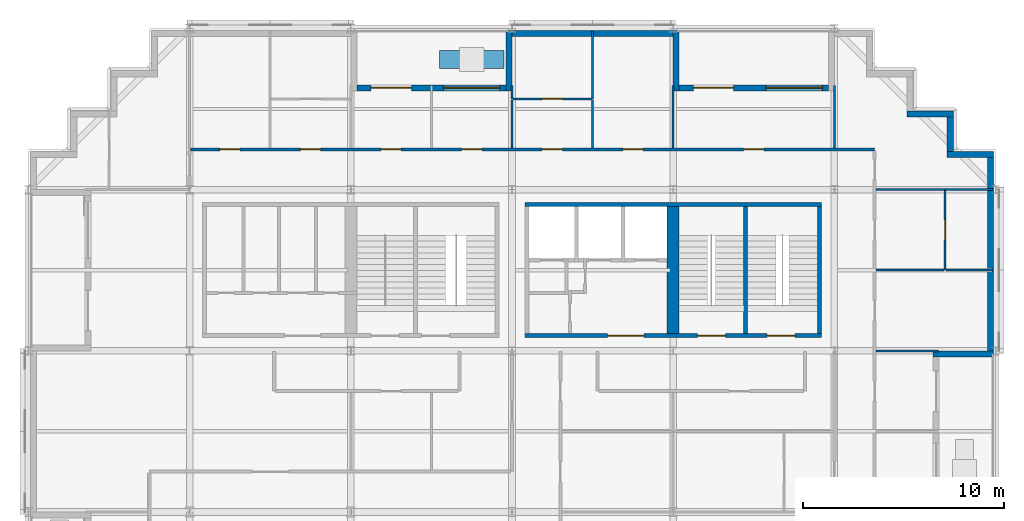
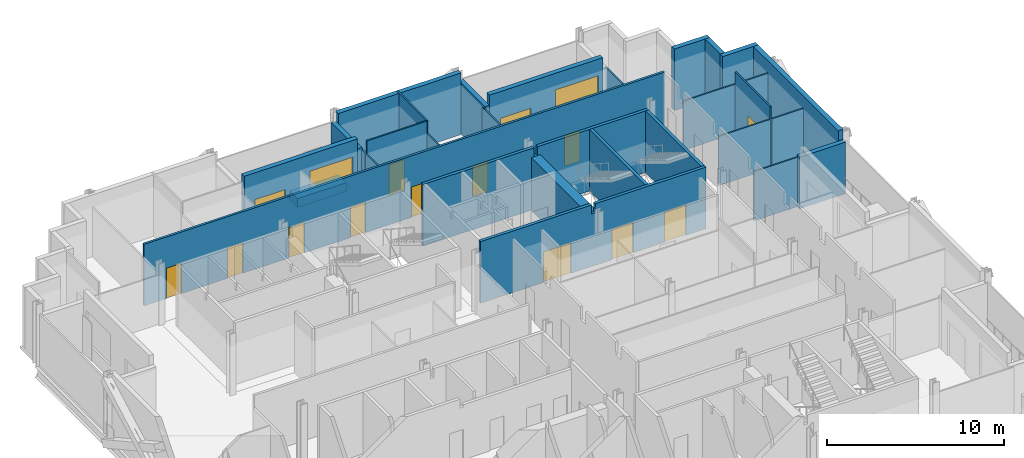
# One storey, part 10 of 15: 30 walls, 14 doors, 2 windows, 16 openings.
"""IFC4 building model written with IfcOpenShell, lengths in metres."""

from ifc_helpers import new_model, si_unit, direction, frame, frame_2d, origin, place, context, subcontext, project, spatial, polyline, rectangle, outline, extrude, material, layer, layer_set, type_object, element, fill, save


model = new_model("IFC4")

# Units and contexts
model_context = context("Model", 3, precision=1e-05, world=origin(), true_north=direction((0.0, 1.0)))
body_context = subcontext(model_context, "Body", "Model", "MODEL_VIEW")
ifc_project = project(units=[si_unit("LENGTHUNIT", "METRE"), si_unit("AREAUNIT", "SQUARE_METRE"), si_unit("VOLUMEUNIT", "CUBIC_METRE"), si_unit("PLANEANGLEUNIT", "RADIAN"), si_unit("MASSUNIT", "GRAM", prefix="KILO")], contexts=[model_context])

# Site, building, storey
site_placement = place(None, origin())
site = spatial("IfcSite", under=ifc_project, at=site_placement, CompositionType="ELEMENT")
building_placement = place(site_placement, origin())
building = spatial("IfcBuilding", under=site, at=building_placement, Name="Immortelle Media Tower", CompositionType="ELEMENT")
storey_placement = place(building_placement, frame((0.0, 0.0, 61.199951171875)))
storey = spatial("IfcBuildingStorey", under=building, at=storey_placement, Name="L10", CompositionType="ELEMENT", Elevation=61.199951171875)

# Wall, openings, doors
ifc_material_1 = material(Name="Fire-rated gypsum board", Category="gypsum")
ifc_layer_1 = layer(ifc_material_1, 0.012451171875)
ifc_material_2 = material(Name="Steel ASTM A653 SS Gr 50 stud frame with mineral wool", Category="steel")
ifc_layer_2 = layer(ifc_material_2, 0.125)
ifc_layer_3 = layer(ifc_material_1, 0.012451171875)
ifc_layer_set_1 = layer_set([ifc_layer_1, ifc_layer_2, ifc_layer_3], Name="Steel ASTM A653 SS Gr 50 stud frame with mineral wool")
wall_type_1 = type_object("IfcWallType", Name="Corridor wall 150", PredefinedType="PARTITIONING", material=ifc_layer_set_1)
wall_1_placement = place(storey_placement, frame((8.050048828125, 42.0, 0.0), z_axis=(0.0, 0.0, 1.0), x_axis=(1.0, 0.0, 0.0)))
wall_1 = element("IfcWall", 1, at=wall_1_placement, inside=storey, type_object=wall_type_1, Name="Partition L10-055", PredefinedType="PARTITIONING", context=body_context, shape_type="SweptSolid", body=[
    extrude(rectangle(XDim=33.949951171875, YDim=0.14990234375, at=frame_2d((16.97509765625, 0.0))), origin(), (0.0, 0.0, 1.0), 4.25),
])
opening_1_placement = place(wall_1_placement, frame((9.449951171875, 0.0, 0.0)))
opening_1 = element("IfcOpeningElement", 2, at=opening_1_placement, cuts=wall_1, Name="Opening N3-F032", PredefinedType="OPENING", context=body_context, shape_type="SweptSolid", body=[
    extrude(rectangle(XDim=1.0, YDim=2.10009765625, at=frame_2d((0.5, 1.050048828125))), frame((0.0, 0.0849609375, 0.0), z_axis=(0.0, -1.0, 0.0), x_axis=(1.0, 0.0, 0.0)), (0.0, 0.0, 1.0), 0.169921875),
])
opening_2_placement = place(wall_1_placement, frame((13.449951171875, 0.0, 0.0)))
opening_2 = element("IfcOpeningElement", 3, at=opening_2_placement, cuts=wall_1, Name="Opening N3-F033", PredefinedType="OPENING", context=body_context, shape_type="SweptSolid", body=[
    extrude(rectangle(XDim=1.0, YDim=2.10009765625, at=frame_2d((0.5, 1.050048828125))), frame((0.0, 0.0849609375, 0.0), z_axis=(0.0, -1.0, 0.0), x_axis=(1.0, 0.0, 0.0)), (0.0, 0.0, 1.0), 0.169921875),
])
opening_3_placement = place(wall_1_placement, frame((27.449951171875, 0.0, 0.0)))
opening_3 = element("IfcOpeningElement", 4, at=opening_3_placement, cuts=wall_1, Name="Opening N3-F034", PredefinedType="OPENING", context=body_context, shape_type="SweptSolid", body=[
    extrude(rectangle(XDim=1.0, YDim=2.10009765625, at=frame_2d((0.5, 1.050048828125))), frame((0.0, 0.0849609375, 0.0), z_axis=(0.0, -1.0, 0.0), x_axis=(1.0, 0.0, 0.0)), (0.0, 0.0, 1.0), 0.169921875),
])
opening_4_placement = place(wall_1_placement, frame((1.449951171875, 0.0, 0.0)))
opening_4 = element("IfcOpeningElement", 5, at=opening_4_placement, cuts=wall_1, Name="Opening N3-F035", PredefinedType="OPENING", context=body_context, shape_type="SweptSolid", body=[
    extrude(rectangle(XDim=1.0, YDim=2.10009765625, at=frame_2d((0.5, 1.050048828125))), frame((0.0, 0.0849609375, 0.0), z_axis=(0.0, -1.0, 0.0), x_axis=(1.0, 0.0, 0.0)), (0.0, 0.0, 1.0), 0.169921875),
])
opening_5_placement = place(wall_1_placement, frame((5.449951171875, 0.0, 0.0)))
opening_5 = element("IfcOpeningElement", 6, at=opening_5_placement, cuts=wall_1, Name="Opening N3-F036", PredefinedType="OPENING", context=body_context, shape_type="SweptSolid", body=[
    extrude(rectangle(XDim=1.0, YDim=2.10009765625, at=frame_2d((0.5, 1.050048828125))), frame((0.0, 0.0849609375, 0.0), z_axis=(0.0, -1.0, 0.0), x_axis=(1.0, 0.0, 0.0)), (0.0, 0.0, 1.0), 0.169921875),
])
opening_6_placement = place(wall_1_placement, frame((17.449951171875, 0.0, 0.0)))
opening_6 = element("IfcOpeningElement", 7, at=opening_6_placement, cuts=wall_1, Name="Opening N3-F038", PredefinedType="OPENING", context=body_context, shape_type="SweptSolid", body=[
    extrude(rectangle(XDim=1.0, YDim=2.10009765625, at=frame_2d((0.5, 1.050048828125))), frame((0.0, 0.0849609375, 0.0), z_axis=(0.0, -1.0, 0.0), x_axis=(1.0, 0.0, 0.0)), (0.0, 0.0, 1.0), 0.169921875),
])
opening_7_placement = place(wall_1_placement, frame((21.449951171875, 0.0, 0.0)))
opening_7 = element("IfcOpeningElement", 8, at=opening_7_placement, cuts=wall_1, Name="Opening N3-F040", PredefinedType="OPENING", context=body_context, shape_type="SweptSolid", body=[
    extrude(rectangle(XDim=1.0, YDim=2.10009765625, at=frame_2d((0.5, 1.050048828125))), frame((0.0, 0.0849609375, 0.0), z_axis=(0.0, -1.0, 0.0), x_axis=(1.0, 0.0, 0.0)), (0.0, 0.0, 1.0), 0.169921875),
])
ifc_material_3 = material(Name="Timber veneered door leaf, galvanised steel frame ASTM A653", Category="steel")
door_type_1 = type_object("IfcDoorType", Name="Room door 1000 x 2100", OperationType="NOTDEFINED", PredefinedType="DOOR", material=ifc_material_3)
door_1_placement = place(opening_1_placement, origin())
door_1 = element("IfcDoor", 9, at=door_1_placement, inside=storey, type_object=door_type_1, Name="Door N3-F032", OperationType="SINGLE_SWING_LEFT", OverallHeight=2.10009765625, OverallWidth=1.0, PredefinedType="DOOR", context=body_context, shape_type="SweptSolid", body=[
    extrude(rectangle(XDim=1.0, YDim=2.10009765625, at=frame_2d((0.5, 1.050048828125))), frame((0.0, 0.02490234375, 0.0), z_axis=(0.0, -1.0, 0.0), x_axis=(1.0, 0.0, 0.0)), (0.0, 0.0, 1.0), 0.050048828125),
])
fill(opening_1, door_1)
door_2_placement = place(opening_2_placement, origin())
door_2 = element("IfcDoor", 10, at=door_2_placement, inside=storey, type_object=door_type_1, Name="Door N3-F033", OperationType="SINGLE_SWING_LEFT", OverallHeight=2.10009765625, OverallWidth=1.0, PredefinedType="DOOR", context=body_context, shape_type="SweptSolid", body=[
    extrude(rectangle(XDim=1.0, YDim=2.10009765625, at=frame_2d((0.5, 1.050048828125))), frame((0.0, 0.02490234375, 0.0), z_axis=(0.0, -1.0, 0.0), x_axis=(1.0, 0.0, 0.0)), (0.0, 0.0, 1.0), 0.050048828125),
])
fill(opening_2, door_2)
door_3_placement = place(opening_3_placement, origin())
door_3 = element("IfcDoor", 11, at=door_3_placement, inside=storey, type_object=door_type_1, Name="Door N3-F034", OperationType="SINGLE_SWING_RIGHT", OverallHeight=2.10009765625, OverallWidth=1.0, PredefinedType="DOOR", context=body_context, shape_type="SweptSolid", body=[
    extrude(rectangle(XDim=1.0, YDim=2.10009765625, at=frame_2d((0.5, 1.050048828125))), frame((0.0, 0.02490234375, 0.0), z_axis=(0.0, -1.0, 0.0), x_axis=(1.0, 0.0, 0.0)), (0.0, 0.0, 1.0), 0.050048828125),
])
fill(opening_3, door_3)
door_4_placement = place(opening_4_placement, origin())
door_4 = element("IfcDoor", 12, at=door_4_placement, inside=storey, type_object=door_type_1, Name="Door N3-F035", OperationType="SINGLE_SWING_LEFT", OverallHeight=2.10009765625, OverallWidth=1.0, PredefinedType="DOOR", context=body_context, shape_type="SweptSolid", body=[
    extrude(rectangle(XDim=1.0, YDim=2.10009765625, at=frame_2d((0.5, 1.050048828125))), frame((0.0, 0.02490234375, 0.0), z_axis=(0.0, -1.0, 0.0), x_axis=(1.0, 0.0, 0.0)), (0.0, 0.0, 1.0), 0.050048828125),
])
fill(opening_4, door_4)
door_5_placement = place(opening_5_placement, origin())
door_5 = element("IfcDoor", 13, at=door_5_placement, inside=storey, type_object=door_type_1, Name="Door N3-F036", OperationType="SINGLE_SWING_LEFT", OverallHeight=2.10009765625, OverallWidth=1.0, PredefinedType="DOOR", context=body_context, shape_type="SweptSolid", body=[
    extrude(rectangle(XDim=1.0, YDim=2.10009765625, at=frame_2d((0.5, 1.050048828125))), frame((0.0, 0.02490234375, 0.0), z_axis=(0.0, -1.0, 0.0), x_axis=(1.0, 0.0, 0.0)), (0.0, 0.0, 1.0), 0.050048828125),
])
fill(opening_5, door_5)
door_6_placement = place(opening_6_placement, origin())
door_6 = element("IfcDoor", 14, at=door_6_placement, inside=storey, type_object=door_type_1, Name="Door N3-F038", OperationType="SINGLE_SWING_LEFT", OverallHeight=2.10009765625, OverallWidth=1.0, PredefinedType="DOOR", context=body_context, shape_type="SweptSolid", body=[
    extrude(rectangle(XDim=1.0, YDim=2.10009765625, at=frame_2d((0.5, 1.050048828125))), frame((0.0, 0.02490234375, 0.0), z_axis=(0.0, -1.0, 0.0), x_axis=(1.0, 0.0, 0.0)), (0.0, 0.0, 1.0), 0.050048828125),
])
fill(opening_6, door_6)
door_7_placement = place(opening_7_placement, origin())
door_7 = element("IfcDoor", 15, at=door_7_placement, inside=storey, type_object=door_type_1, Name="Door N3-F040", OperationType="SINGLE_SWING_LEFT", OverallHeight=2.10009765625, OverallWidth=1.0, PredefinedType="DOOR", context=body_context, shape_type="SweptSolid", body=[
    extrude(rectangle(XDim=1.0, YDim=2.10009765625, at=frame_2d((0.5, 1.050048828125))), frame((0.0, 0.02490234375, 0.0), z_axis=(0.0, -1.0, 0.0), x_axis=(1.0, 0.0, 0.0)), (0.0, 0.0, 1.0), 0.050048828125),
])
fill(opening_7, door_7)

# Walls
ifc_material_4 = material(Name="Pale aluminium cladding panel", Category="aluminium")
ifc_layer_4 = layer(ifc_material_4, 0.030029296875)
ifc_layer_5 = layer(ifc_material_2, 0.257568359375)
ifc_material_5 = material(Name="Moisture-resistant gypsum board", Category="gypsum")
ifc_layer_6 = layer(ifc_material_5, 0.012451171875)
ifc_layer_set_2 = layer_set([ifc_layer_4, ifc_layer_5, ifc_layer_6], Name="Steel ASTM A653 SS Gr 50 stud frame with mineral wool")
wall_type_2 = type_object("IfcWallType", Name="Facade wall 300", PredefinedType="SOLIDWALL", material=ifc_layer_set_2)
wall_2_placement = place(storey_placement, frame((47.89990234375, 31.85009765625, 0.0), z_axis=(0.0, 0.0, 1.0), x_axis=(-1.0, 0.0, 0.0)))
element("IfcWall", 16, at=wall_2_placement, inside=storey, type_object=wall_type_2, Name="Loggia cheek wall L10 E", PredefinedType="SOLIDWALL", context=body_context, shape_type="SweptSolid", body=[
    extrude(rectangle(XDim=3.0, YDim=0.300048828125, at=frame_2d((1.5, 0.0))), origin(), (0.0, 0.0, 1.0), 3.55615234375),
])
wall_3_placement = place(storey_placement, frame((47.75, 32.0, 0.0), z_axis=(0.0, 0.0, 1.0), x_axis=(0.0, 1.0, 0.0)))
element("IfcWall", 17, at=wall_3_placement, inside=storey, type_object=wall_type_2, Name="Facade wall L10 E14", PredefinedType="SOLIDWALL", context=body_context, shape_type="SweptSolid", body=[
    extrude(rectangle(XDim=9.60009765625, YDim=0.300048828125, at=frame_2d((4.800048828125, 0.0))), origin(), (0.0, 0.0, 1.0), 4.25),
])
wall_4_placement = place(storey_placement, frame((47.89990234375, 41.75, 0.0), z_axis=(0.0, 0.0, 1.0), x_axis=(-1.0, 0.0, 0.0)))
element("IfcWall", 18, at=wall_4_placement, inside=storey, type_object=wall_type_2, Name="Facade wall L10 N15", PredefinedType="SOLIDWALL", context=body_context, shape_type="SweptSolid", body=[
    extrude(rectangle(XDim=2.2998046875, YDim=0.300048828125, at=frame_2d((1.14990234375, 0.0))), origin(), (0.0, 0.0, 1.0), 4.25),
])
wall_5_placement = place(storey_placement, frame((45.75, 41.89990234375, 0.0), z_axis=(0.0, 0.0, 1.0), x_axis=(0.0, 1.0, 0.0)))
element("IfcWall", 19, at=wall_5_placement, inside=storey, type_object=wall_type_2, Name="Facade wall L10 E16", PredefinedType="SOLIDWALL", context=body_context, shape_type="SweptSolid", body=[
    extrude(rectangle(XDim=1.7001953125, YDim=0.300048828125, at=frame_2d((0.85009765625, 0.0))), origin(), (0.0, 0.0, 1.0), 4.25),
])
wall_6_placement = place(storey_placement, frame((45.89990234375, 43.75, 0.0), z_axis=(0.0, 0.0, 1.0), x_axis=(-1.0, 0.0, 0.0)))
element("IfcWall", 20, at=wall_6_placement, inside=storey, type_object=wall_type_2, Name="Facade wall L10 N17", PredefinedType="SOLIDWALL", context=body_context, shape_type="SweptSolid", body=[
    extrude(rectangle(XDim=2.2998046875, YDim=0.300048828125, at=frame_2d((1.14990234375, 0.0))), origin(), (0.0, 0.0, 1.0), 4.25),
])

# Wall, openings, door, window
wall_7_placement = place(storey_placement, frame((39.699951171875, 45.050048828125, 0.0), z_axis=(0.0, 0.0, 1.0), x_axis=(-1.0, 0.0, 0.0)))
wall_7 = element("IfcWall", 21, at=wall_7_placement, inside=storey, type_object=wall_type_2, Name="Loggia wall L10 N21", PredefinedType="SOLIDWALL", context=body_context, shape_type="SweptSolid", body=[
    extrude(rectangle(XDim=7.39990234375, YDim=0.300048828125, at=frame_2d((3.699951171875, 0.0))), origin(), (0.0, 0.0, 1.0), 4.25),
])
opening_8_placement = place(wall_7_placement, frame((0.300048828125, 0.0, 0.89990234375)))
opening_8 = element("IfcOpeningElement", 22, at=opening_8_placement, cuts=wall_7, Name="Opening W1", PredefinedType="OPENING", context=body_context, shape_type="SweptSolid", body=[
    extrude(rectangle(XDim=2.800048828125, YDim=2.199951171875, at=frame_2d((1.39990234375, 1.10009765625))), frame((0.0, 0.159912109375, 0.0), z_axis=(0.0, -1.0, 0.0), x_axis=(1.0, 0.0, 0.0)), (0.0, 0.0, 1.0), 0.320068359375),
])
opening_9_placement = place(wall_7_placement, frame((4.699951171875, 0.0, 0.0)))
opening_9 = element("IfcOpeningElement", 23, at=opening_9_placement, cuts=wall_7, Name="Opening N3-E007", PredefinedType="OPENING", context=body_context, shape_type="SweptSolid", body=[
    extrude(rectangle(XDim=2.0, YDim=2.39990234375, at=frame_2d((1.0, 1.199951171875))), frame((0.0, 0.159912109375, 0.0), z_axis=(0.0, -1.0, 0.0), x_axis=(1.0, 0.0, 0.0)), (0.0, 0.0, 1.0), 0.320068359375),
])
ifc_material_6 = material(Name="Aluminium frame, glazed leaves", Category="aluminium")
door_type_2 = type_object("IfcDoorType", Name="Loggia door 2000 x 2400", OperationType="DOUBLE_DOOR_SINGLE_SWING", PredefinedType="DOOR", material=ifc_material_6)
door_8_placement = place(opening_9_placement, origin())
door_8 = element("IfcDoor", 24, at=door_8_placement, inside=storey, type_object=door_type_2, Name="Door N3-E007", OperationType="DOUBLE_DOOR_SINGLE_SWING", OverallHeight=2.39990234375, OverallWidth=2.0, PredefinedType="DOOR", context=body_context, shape_type="SweptSolid", body=[
    extrude(rectangle(XDim=2.0, YDim=2.39990234375, at=frame_2d((1.0, 1.199951171875))), frame((0.0, 0.02490234375, 0.0), z_axis=(0.0, -1.0, 0.0), x_axis=(1.0, 0.0, 0.0)), (0.0, 0.0, 1.0), 0.050048828125),
])
fill(opening_9, door_8)
ifc_material_7 = material(Name="Aluminium frame", Category="aluminium")
window_type = type_object("IfcWindowType", Name="Window 2800 x 2200", PartitioningType="SINGLE_PANEL", PredefinedType="WINDOW", material=ifc_material_7)
window_1_placement = place(opening_8_placement, origin())
window_1 = element("IfcWindow", 25, at=window_1_placement, inside=storey, type_object=window_type, Name="Window L10 L10-R21-B0", OverallHeight=2.199951171875, OverallWidth=2.800048828125, PartitioningType="SINGLE_PANEL", PredefinedType="WINDOW", context=body_context, shape_type="SweptSolid", body=[
    extrude(rectangle(XDim=2.800048828125, YDim=2.199951171875, at=frame_2d((1.39990234375, 1.10009765625))), frame((0.0, 0.030029296875, 0.0), z_axis=(0.0, -1.0, 0.0), x_axis=(1.0, 0.0, 0.0)), (0.0, 0.0, 1.0), 0.06005859375),
])
fill(opening_8, window_1)

# Walls
wall_8_placement = place(storey_placement, frame((32.14990234375, 47.89990234375, 0.0), z_axis=(0.0, 0.0, 1.0), x_axis=(0.0, -1.0, 0.0)))
element("IfcWall", 26, at=wall_8_placement, inside=storey, type_object=wall_type_2, Name="Loggia cheek wall L10 N", PredefinedType="SOLIDWALL", context=body_context, shape_type="SweptSolid", body=[
    extrude(rectangle(XDim=3.0, YDim=0.300048828125, at=frame_2d((1.5, 0.0))), origin(), (0.0, 0.0, 1.0), 3.55615234375),
])
wall_9_placement = place(storey_placement, frame((32.0, 47.75, 0.0), z_axis=(0.0, 0.0, 1.0), x_axis=(-1.0, 0.0, 0.0)))
element("IfcWall", 27, at=wall_9_placement, inside=storey, type_object=wall_type_2, Name="Facade wall L10 N21", PredefinedType="SOLIDWALL", context=body_context, shape_type="SweptSolid", body=[
    extrude(rectangle(XDim=8.0, YDim=0.300048828125, at=frame_2d((4.0, 0.0))), origin(), (0.0, 0.0, 1.0), 4.25),
])

# Wall, openings, door, window
wall_10_placement = place(storey_placement, frame((23.699951171875, 45.050048828125, 0.0), z_axis=(0.0, 0.0, 1.0), x_axis=(-1.0, 0.0, 0.0)))
wall_10 = element("IfcWall", 28, at=wall_10_placement, inside=storey, type_object=wall_type_2, Name="Loggia wall L10 N21", PredefinedType="SOLIDWALL", context=body_context, shape_type="SweptSolid", body=[
    extrude(rectangle(XDim=7.39990234375, YDim=0.300048828125, at=frame_2d((3.699951171875, 0.0))), origin(), (0.0, 0.0, 1.0), 4.25),
])
opening_10_placement = place(wall_10_placement, frame((0.300048828125, 0.0, 0.89990234375)))
opening_10 = element("IfcOpeningElement", 29, at=opening_10_placement, cuts=wall_10, Name="Opening W1", PredefinedType="OPENING", context=body_context, shape_type="SweptSolid", body=[
    extrude(rectangle(XDim=2.800048828125, YDim=2.199951171875, at=frame_2d((1.39990234375, 1.10009765625))), frame((0.0, 0.159912109375, 0.0), z_axis=(0.0, -1.0, 0.0), x_axis=(1.0, 0.0, 0.0)), (0.0, 0.0, 1.0), 0.320068359375),
])
opening_11_placement = place(wall_10_placement, frame((4.699951171875, 0.0, 0.0)))
opening_11 = element("IfcOpeningElement", 30, at=opening_11_placement, cuts=wall_10, Name="Opening N3-E008", PredefinedType="OPENING", context=body_context, shape_type="SweptSolid", body=[
    extrude(rectangle(XDim=2.0, YDim=2.39990234375, at=frame_2d((1.0, 1.199951171875))), frame((0.0, 0.159912109375, 0.0), z_axis=(0.0, -1.0, 0.0), x_axis=(1.0, 0.0, 0.0)), (0.0, 0.0, 1.0), 0.320068359375),
])
door_9_placement = place(opening_11_placement, origin())
door_9 = element("IfcDoor", 31, at=door_9_placement, inside=storey, type_object=door_type_2, Name="Door N3-E008", OperationType="DOUBLE_DOOR_SINGLE_SWING", OverallHeight=2.39990234375, OverallWidth=2.0, PredefinedType="DOOR", context=body_context, shape_type="SweptSolid", body=[
    extrude(rectangle(XDim=2.0, YDim=2.39990234375, at=frame_2d((1.0, 1.199951171875))), frame((0.0, 0.02490234375, 0.0), z_axis=(0.0, -1.0, 0.0), x_axis=(1.0, 0.0, 0.0)), (0.0, 0.0, 1.0), 0.050048828125),
])
fill(opening_11, door_9)
window_2_placement = place(opening_10_placement, origin())
window_2 = element("IfcWindow", 32, at=window_2_placement, inside=storey, type_object=window_type, Name="Window L10 L10-R21-B2", OverallHeight=2.199951171875, OverallWidth=2.800048828125, PartitioningType="SINGLE_PANEL", PredefinedType="WINDOW", context=body_context, shape_type="SweptSolid", body=[
    extrude(rectangle(XDim=2.800048828125, YDim=2.199951171875, at=frame_2d((1.39990234375, 1.10009765625))), frame((0.0, 0.030029296875, 0.0), z_axis=(0.0, -1.0, 0.0), x_axis=(1.0, 0.0, 0.0)), (0.0, 0.0, 1.0), 0.06005859375),
])
fill(opening_10, window_2)

# Walls
wall_11_placement = place(storey_placement, frame((23.85009765625, 47.89990234375, 0.0), z_axis=(0.0, 0.0, 1.0), x_axis=(0.0, -1.0, 0.0)))
element("IfcWall", 33, at=wall_11_placement, inside=storey, type_object=wall_type_2, Name="Loggia cheek wall L10 N", PredefinedType="SOLIDWALL", context=body_context, shape_type="SweptSolid", body=[
    extrude(rectangle(XDim=3.0, YDim=0.300048828125, at=frame_2d((1.5, 0.0))), origin(), (0.0, 0.0, 1.0), 3.55615234375),
])
ifc_material_8 = material(Name="Gypsum board", Category="gypsum")
ifc_layer_7 = layer(ifc_material_8, 0.012451171875)
ifc_layer_8 = layer(ifc_material_2, 0.074951171875)
ifc_layer_9 = layer(ifc_material_8, 0.012451171875)
ifc_layer_set_3 = layer_set([ifc_layer_7, ifc_layer_8, ifc_layer_9], Name="Steel ASTM A653 SS Gr 50 stud frame with mineral wool")
wall_type_3 = type_object("IfcWallType", Name="Partition 100", PredefinedType="PARTITIONING", material=ifc_layer_set_3)
wall_12_placement = place(storey_placement, frame((42.074951171875, 32.0, 0.0), z_axis=(0.0, 0.0, 1.0), x_axis=(1.0, 0.0, 0.0)))
element("IfcWall", 34, at=wall_12_placement, inside=storey, type_object=wall_type_3, Name="Partition L10-045", PredefinedType="PARTITIONING", context=body_context, shape_type="SweptSolid", body=[
    extrude(rectangle(XDim=3.094970703125, YDim=0.10009765625, at=frame_2d((1.54736328125, 0.0))), origin(), (0.0, 0.0, 1.0), 3.39111328125),
])
wall_13_placement = place(storey_placement, frame((42.074951171875, 36.0, 0.0), z_axis=(0.0, 0.0, 1.0), x_axis=(1.0, 0.0, 0.0)))
element("IfcWall", 35, at=wall_13_placement, inside=storey, type_object=wall_type_3, Name="Partition L10-046", PredefinedType="PARTITIONING", context=body_context, shape_type="SweptSolid", body=[
    extrude(rectangle(XDim=3.375, YDim=0.10009765625, at=frame_2d((1.6875, 0.0))), origin(), (0.0, 0.0, 1.0), 3.39111328125),
])
wall_14_placement = place(storey_placement, frame((45.550048828125, 36.0, 0.0), z_axis=(0.0, 0.0, 1.0), x_axis=(1.0, 0.0, 0.0)))
element("IfcWall", 36, at=wall_14_placement, inside=storey, type_object=wall_type_3, Name="Partition L10-047", PredefinedType="PARTITIONING", context=body_context, shape_type="SweptSolid", body=[
    extrude(rectangle(XDim=2.320068359375, YDim=0.10009765625, at=frame_2d((1.16015625, 0.0))), origin(), (0.0, 0.0, 1.0), 3.39111328125),
])

# Wall, opening, door
wall_15_placement = place(storey_placement, frame((45.5, 36.0, 0.0), z_axis=(0.0, 0.0, 1.0), x_axis=(0.0, 1.0, 0.0)))
wall_15 = element("IfcWall", 37, at=wall_15_placement, inside=storey, type_object=wall_type_3, Name="Partition L10-048", PredefinedType="PARTITIONING", context=body_context, shape_type="SweptSolid", body=[
    extrude(rectangle(XDim=3.949951171875, YDim=0.10009765625, at=frame_2d((1.97509765625, 0.0))), origin(), (0.0, 0.0, 1.0), 4.25),
])
opening_12_placement = place(wall_15_placement, frame((2.5, 0.0, 0.0), z_axis=(0.0, 0.0, 1.0), x_axis=(-1.0, 0.0, 0.0)))
opening_12 = element("IfcOpeningElement", 38, at=opening_12_placement, cuts=wall_15, Name="Opening N3-F028", PredefinedType="OPENING", context=body_context, shape_type="SweptSolid", body=[
    extrude(rectangle(XDim=1.0, YDim=2.10009765625, at=frame_2d((0.5, 1.050048828125))), frame((0.0, 0.06005859375, 0.0), z_axis=(0.0, -1.0, 0.0), x_axis=(1.0, 0.0, 0.0)), (0.0, 0.0, 1.0), 0.1201171875),
])
door_10_placement = place(opening_12_placement, origin())
door_10 = element("IfcDoor", 39, at=door_10_placement, inside=storey, type_object=door_type_1, Name="Door N3-F028", OperationType="SINGLE_SWING_LEFT", OverallHeight=2.10009765625, OverallWidth=1.0, PredefinedType="DOOR", context=body_context, shape_type="SweptSolid", body=[
    extrude(rectangle(XDim=1.0, YDim=2.10009765625, at=frame_2d((0.5, 1.050048828125))), frame((0.0, 0.02490234375, 0.0), z_axis=(0.0, -1.0, 0.0), x_axis=(1.0, 0.0, 0.0)), (0.0, 0.0, 1.0), 0.050048828125),
])
fill(opening_12, door_10)

# Walls
wall_16_placement = place(storey_placement, frame((42.074951171875, 40.0, 0.0), z_axis=(0.0, 0.0, 1.0), x_axis=(1.0, 0.0, 0.0)))
element("IfcWall", 40, at=wall_16_placement, inside=storey, type_object=wall_type_3, Name="Partition L10-052", PredefinedType="PARTITIONING", context=body_context, shape_type="SweptSolid", body=[
    extrude(rectangle(XDim=3.425048828125, YDim=0.10009765625, at=frame_2d((1.71240234375, 0.0))), origin(), (0.0, 0.0, 1.0), 3.39111328125),
])
wall_17_placement = place(storey_placement, frame((45.5, 40.0, 0.0), z_axis=(0.0, 0.0, 1.0), x_axis=(1.0, 0.0, 0.0)))
element("IfcWall", 41, at=wall_17_placement, inside=storey, type_object=wall_type_3, Name="Partition L10-053", PredefinedType="PARTITIONING", context=body_context, shape_type="SweptSolid", body=[
    extrude(rectangle(XDim=2.3701171875, YDim=0.10009765625, at=frame_2d((1.18505859375, 0.0))), origin(), (0.0, 0.0, 1.0), 3.39111328125),
])
for number, where, z_axis, x_axis, name in (
    (42, (24.0, 42.074951171875, 0.0), (0.0, 0.0, 1.0), (0.0, 1.0, 0.0), "Partition L10-060"),
    (43, (28.0, 42.074951171875, 0.0), (0.0, 0.0, 1.0), (0.0, 1.0, 0.0), "Partition L10-061"),
):
    element("IfcWall", number, at=place(storey_placement, frame(where, z_axis=z_axis, x_axis=x_axis)), inside=storey, type_object=wall_type_3, Name=name, PredefinedType="PARTITIONING", context=body_context, shape_type="SweptSolid", body=[
        extrude(rectangle(XDim=2.375, YDim=0.10009765625, at=frame_2d((1.1875, 0.0))), origin(), (0.0, 0.0, 1.0), 3.39111328125),
    ])
for number, where, z_axis, x_axis, name in (
    (44, (32.0, 42.074951171875, 0.0), (0.0, 0.0, 1.0), (0.0, 1.0, 0.0), "Partition L10-062"),
    (45, (40.0, 42.074951171875, 0.0), (0.0, 0.0, 1.0), (0.0, 1.0, 0.0), "Partition L10-063"),
):
    element("IfcWall", number, at=place(storey_placement, frame(where, z_axis=z_axis, x_axis=x_axis)), inside=storey, type_object=wall_type_3, Name=name, PredefinedType="PARTITIONING", context=body_context, shape_type="SweptSolid", body=[
        extrude(rectangle(XDim=3.094970703125, YDim=0.10009765625, at=frame_2d((1.54736328125, 0.0))), origin(), (0.0, 0.0, 1.0), 3.39111328125),
    ])

# Wall, opening, door
wall_18_placement = place(storey_placement, frame((24.050048828125, 44.5, 0.0), z_axis=(0.0, 0.0, 1.0), x_axis=(1.0, 0.0, 0.0)))
wall_18 = element("IfcWall", 46, at=wall_18_placement, inside=storey, type_object=wall_type_3, Name="Partition L10-067", PredefinedType="PARTITIONING", context=body_context, shape_type="SweptSolid", body=[
    extrude(rectangle(XDim=3.89990234375, YDim=0.10009765625, at=frame_2d((1.949951171875, 0.0))), origin(), (0.0, 0.0, 1.0), 4.25),
])
opening_13_placement = place(wall_18_placement, frame((1.449951171875, 0.0, 0.0)))
opening_13 = element("IfcOpeningElement", 47, at=opening_13_placement, cuts=wall_18, Name="Opening N3-F039", PredefinedType="OPENING", context=body_context, shape_type="SweptSolid", body=[
    extrude(rectangle(XDim=1.0, YDim=2.10009765625, at=frame_2d((0.5, 1.050048828125))), frame((0.0, 0.06005859375, 0.0), z_axis=(0.0, -1.0, 0.0), x_axis=(1.0, 0.0, 0.0)), (0.0, 0.0, 1.0), 0.1201171875),
])
door_11_placement = place(opening_13_placement, origin())
door_11 = element("IfcDoor", 48, at=door_11_placement, inside=storey, type_object=door_type_1, Name="Door N3-F039", OperationType="SINGLE_SWING_LEFT", OverallHeight=2.10009765625, OverallWidth=1.0, PredefinedType="DOOR", context=body_context, shape_type="SweptSolid", body=[
    extrude(rectangle(XDim=1.0, YDim=2.10009765625, at=frame_2d((0.5, 1.050048828125))), frame((0.0, 0.02490234375, 0.0), z_axis=(0.0, -1.0, 0.0), x_axis=(1.0, 0.0, 0.0)), (0.0, 0.0, 1.0), 0.050048828125),
])
fill(opening_13, door_11)

# Walls
wall_19_placement = place(storey_placement, frame((24.0, 44.5, 0.0), z_axis=(0.0, 0.0, 1.0), x_axis=(0.0, 1.0, 0.0)))
element("IfcWall", 49, at=wall_19_placement, inside=storey, type_object=wall_type_3, Name="Partition L10-068", PredefinedType="PARTITIONING", context=body_context, shape_type="SweptSolid", body=[
    extrude(rectangle(XDim=0.669921875, YDim=0.10009765625, at=frame_2d((0.3349609375, 0.0))), origin(), (0.0, 0.0, 1.0), 3.39111328125),
])
wall_20_placement = place(storey_placement, frame((28.0, 44.5, 0.0), z_axis=(0.0, 0.0, 1.0), x_axis=(0.0, 1.0, 0.0)))
element("IfcWall", 50, at=wall_20_placement, inside=storey, type_object=wall_type_3, Name="Partition L10-069", PredefinedType="PARTITIONING", context=body_context, shape_type="SweptSolid", body=[
    extrude(rectangle(XDim=3.3701171875, YDim=0.10009765625, at=frame_2d((1.68505859375, 0.0))), origin(), (0.0, 0.0, 1.0), 4.25),
])
ifc_layer_10 = layer(ifc_material_4, 0.0029296875)
ifc_material_9 = material(Name="Steel ASTM A572 Gr 50 planter shell", Category="steel")
ifc_layer_11 = layer(ifc_material_9, 0.011962890625)
ifc_material_10 = material(Name="Planting substrate", Category="soil")
ifc_layer_12 = layer(ifc_material_10, 0.873046875)
ifc_layer_13 = layer(ifc_material_9, 0.011962890625)
ifc_layer_set_4 = layer_set([ifc_layer_10, ifc_layer_11, ifc_layer_12, ifc_layer_13], Name="Steel ASTM A572 Gr 50 planter shell")
wall_type_4 = type_object("IfcWallType", Name="Planter wall 900", PredefinedType="SOLIDWALL", material=ifc_layer_set_4)
wall_21_placement = place(storey_placement, frame((23.60009765625, 46.449951171875, 0.0), z_axis=(0.0, 0.0, 1.0), x_axis=(-1.0, 0.0, 0.0)))
element("IfcWall", 51, at=wall_21_placement, inside=storey, type_object=wall_type_4, Name="Planter L10 N2", PredefinedType="SOLIDWALL", context=body_context, shape_type="SweptSolid", body=[
    extrude(rectangle(XDim=3.2001953125, YDim=0.89990234375, at=frame_2d((1.60009765625, 0.0))), origin(), (0.0, 0.0, 1.0), 0.60009765625),
])

# Wall, openings, doors
ifc_material_11 = material(Name="Concrete C60", Category="concrete")
ifc_layer_14 = layer(ifc_material_11, 0.199951171875)
ifc_layer_set_5 = layer_set([ifc_layer_14], Name="Concrete C60")
wall_type_5 = type_object("IfcWallType", Name="Stair shaft wall 200", PredefinedType="PARTITIONING", material=ifc_layer_set_5)
wall_22_placement = place(storey_placement, frame((24.64990234375, 32.75, 0.0), z_axis=(0.0, 0.0, 1.0), x_axis=(1.0, 0.0, 0.0)))
wall_22 = element("IfcWall", 52, at=wall_22_placement, inside=storey, type_object=wall_type_5, Name="Stair shaft wall NE", PredefinedType="PARTITIONING", context=body_context, shape_type="SweptSolid", body=[
    extrude(outline(polyline([(0.0, 0.0), (14.7001953125, 0.0), (14.699951171875, 4.25), (7.469482421875, 4.25), (7.468505859375, 3.632080078125), (7.2314453125, 3.632080078125), (7.23046875, 4.25), (0.0, 4.25), (0.0, 0.0)])), frame((0.0, 0.10009765625, 0.0), z_axis=(0.0, -1.0, 0.0), x_axis=(1.0, 0.0, 0.0)), (0.0, 0.0, 1.0), 0.199951171875),
])
opening_14_placement = place(wall_22_placement, frame((4.10009765625, 0.0, 0.0)))
opening_14 = element("IfcOpeningElement", 53, at=opening_14_placement, cuts=wall_22, Name="Opening N3-K032", PredefinedType="OPENING", context=body_context, shape_type="SweptSolid", body=[
    extrude(rectangle(XDim=1.800048828125, YDim=2.10009765625, at=frame_2d((0.89990234375, 1.050048828125))), frame((0.0, 0.10986328125, 0.0), z_axis=(0.0, -1.0, 0.0), x_axis=(1.0, 0.0, 0.0)), (0.0, 0.0, 1.0), 0.219970703125),
])
opening_15_placement = place(wall_22_placement, frame((8.550048828125, 0.0, 0.0)))
opening_15 = element("IfcOpeningElement", 54, at=opening_15_placement, cuts=wall_22, Name="Opening N3-K034", PredefinedType="OPENING", context=body_context, shape_type="SweptSolid", body=[
    extrude(rectangle(XDim=1.39990234375, YDim=2.10009765625, at=frame_2d((0.699951171875, 1.050048828125))), frame((0.0, 0.10986328125, 0.0), z_axis=(0.0, -1.0, 0.0), x_axis=(1.0, 0.0, 0.0)), (0.0, 0.0, 1.0), 0.219970703125),
])
opening_16_placement = place(wall_22_placement, frame((12.0, 0.0, 0.0)))
opening_16 = element("IfcOpeningElement", 55, at=opening_16_placement, cuts=wall_22, Name="Opening N3-K035", PredefinedType="OPENING", context=body_context, shape_type="SweptSolid", body=[
    extrude(rectangle(XDim=1.39990234375, YDim=2.10009765625, at=frame_2d((0.699951171875, 1.050048828125))), frame((0.0, 0.10986328125, 0.0), z_axis=(0.0, -1.0, 0.0), x_axis=(1.0, 0.0, 0.0)), (0.0, 0.0, 1.0), 0.219970703125),
])
ifc_material_12 = material(Name="Galvanised steel door leaf and frame ASTM A653", Category="steel")
door_type_3 = type_object("IfcDoorType", Name="Lift lobby door 1800 x 2100", OperationType="DOUBLE_DOOR_SINGLE_SWING", PredefinedType="NOTDEFINED", material=ifc_material_12)
door_12_placement = place(opening_14_placement, origin())
door_12 = element("IfcDoor", 56, at=door_12_placement, inside=storey, type_object=door_type_3, Name="Lift lobby N3-K032", OperationType="DOUBLE_DOOR_SINGLE_SWING", OverallHeight=2.10009765625, OverallWidth=1.800048828125, PredefinedType="NOTDEFINED", context=body_context, shape_type="SweptSolid", body=[
    extrude(rectangle(XDim=1.800048828125, YDim=2.10009765625, at=frame_2d((0.89990234375, 1.050048828125))), frame((0.0, 0.02490234375, 0.0), z_axis=(0.0, -1.0, 0.0), x_axis=(1.0, 0.0, 0.0)), (0.0, 0.0, 1.0), 0.050048828125),
])
fill(opening_14, door_12)
door_type_4 = type_object("IfcDoorType", Name="Stair door 1400 x 2100", OperationType="DOUBLE_DOOR_SINGLE_SWING", PredefinedType="NOTDEFINED", material=ifc_material_12)
door_13_placement = place(opening_15_placement, origin())
door_13 = element("IfcDoor", 57, at=door_13_placement, inside=storey, type_object=door_type_4, Name="Stair N3-K034", OperationType="DOUBLE_DOOR_SINGLE_SWING", OverallHeight=2.10009765625, OverallWidth=1.39990234375, PredefinedType="NOTDEFINED", context=body_context, shape_type="SweptSolid", body=[
    extrude(rectangle(XDim=1.39990234375, YDim=2.10009765625, at=frame_2d((0.699951171875, 1.050048828125))), frame((0.0, 0.02490234375, 0.0), z_axis=(0.0, -1.0, 0.0), x_axis=(1.0, 0.0, 0.0)), (0.0, 0.0, 1.0), 0.050048828125),
])
fill(opening_15, door_13)
door_14_placement = place(opening_16_placement, origin())
door_14 = element("IfcDoor", 58, at=door_14_placement, inside=storey, type_object=door_type_4, Name="Stair N3-K035", OperationType="DOUBLE_DOOR_SINGLE_SWING", OverallHeight=2.10009765625, OverallWidth=1.39990234375, PredefinedType="NOTDEFINED", context=body_context, shape_type="SweptSolid", body=[
    extrude(rectangle(XDim=1.39990234375, YDim=2.10009765625, at=frame_2d((0.699951171875, 1.050048828125))), frame((0.0, 0.02490234375, 0.0), z_axis=(0.0, -1.0, 0.0), x_axis=(1.0, 0.0, 0.0)), (0.0, 0.0, 1.0), 0.050048828125),
])
fill(opening_16, door_14)

# Walls
wall_23_placement = place(storey_placement, frame((24.64990234375, 39.25, 0.0), z_axis=(0.0, 0.0, 1.0), x_axis=(1.0, 0.0, 0.0)))
element("IfcWall", 59, at=wall_23_placement, inside=storey, type_object=wall_type_5, Name="Stair shaft wall NE", PredefinedType="PARTITIONING", context=body_context, shape_type="SweptSolid", body=[
    extrude(outline(polyline([(0.0, 0.0), (14.7001953125, 0.0), (14.699951171875, 4.25), (7.469482421875, 4.25), (7.468505859375, 3.632080078125), (7.2314453125, 3.632080078125), (7.23046875, 4.25), (0.0, 4.25), (0.0, 0.0)])), frame((0.0, 0.10009765625, 0.0), z_axis=(0.0, -1.0, 0.0), x_axis=(1.0, 0.0, 0.0)), (0.0, 0.0, 1.0), 0.199951171875),
])
for number, where, z_axis, x_axis, name in (
    (60, (35.60009765625, 32.85009765625, 0.0), (0.0, 0.0, 1.0), (0.0, 1.0, 0.0), "Stair shaft wall NE"),
    (61, (39.25, 32.85009765625, 0.0), (0.0, 0.0, 1.0), (0.0, 1.0, 0.0), "Stair shaft wall NE"),
):
    element("IfcWall", number, at=place(storey_placement, frame(where, z_axis=z_axis, x_axis=x_axis)), inside=storey, type_object=wall_type_5, Name=name, PredefinedType="PARTITIONING", context=body_context, shape_type="SweptSolid", body=[
        extrude(rectangle(XDim=6.2998046875, YDim=0.199951171875, at=frame_2d((3.14990234375, 0.0))), origin(), (0.0, 0.0, 1.0), 4.25),
    ])
ifc_layer_15 = layer(ifc_material_11, 0.60009765625)
ifc_layer_set_6 = layer_set([ifc_layer_15], Name="Concrete C60")
wall_type_6 = type_object("IfcWallType", Name="Stair shaft wall 600", PredefinedType="PARTITIONING", material=ifc_layer_set_6)
wall_24_placement = place(storey_placement, frame((32.0, 32.85009765625, 0.0), z_axis=(0.0, 0.0, 1.0), x_axis=(0.0, 1.0, 0.0)))
element("IfcWall", 62, at=wall_24_placement, inside=storey, type_object=wall_type_6, Name="Stair shaft wall NE", PredefinedType="PARTITIONING", context=body_context, shape_type="SweptSolid", body=[
    extrude(rectangle(XDim=6.2998046875, YDim=0.60009765625, at=frame_2d((3.14990234375, 0.0))), origin(), (0.0, 0.0, 1.0), 3.632080078125),
])

save(model, "model.ifc")
